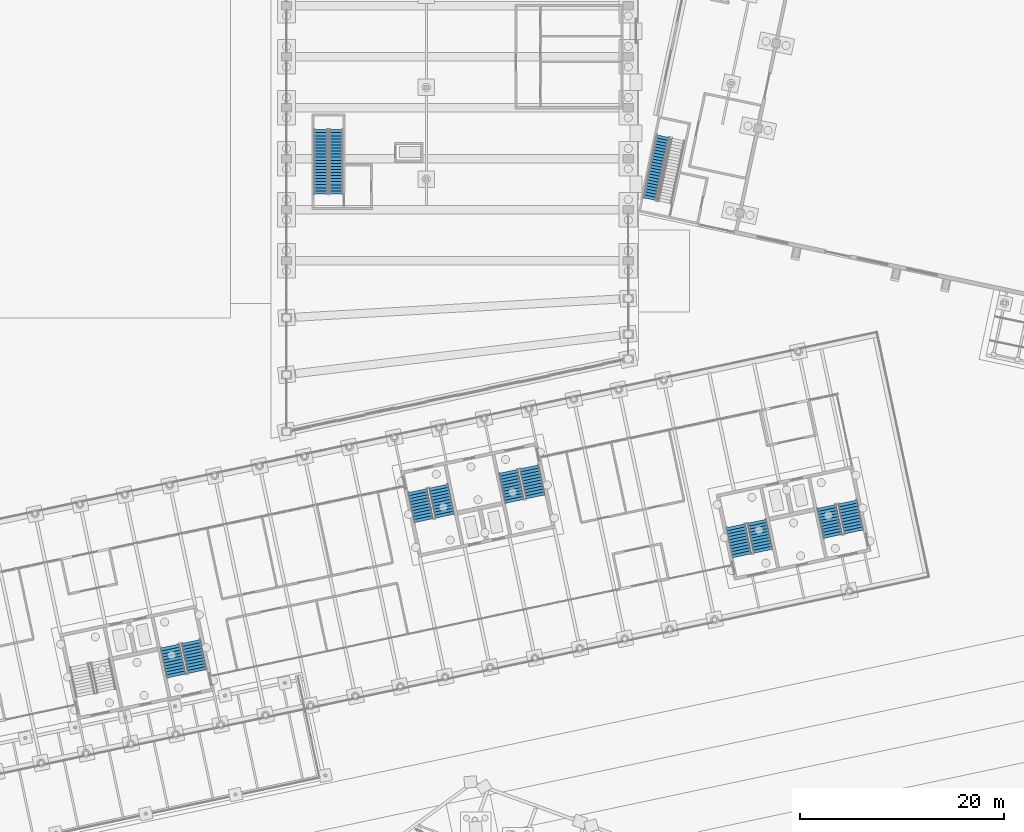
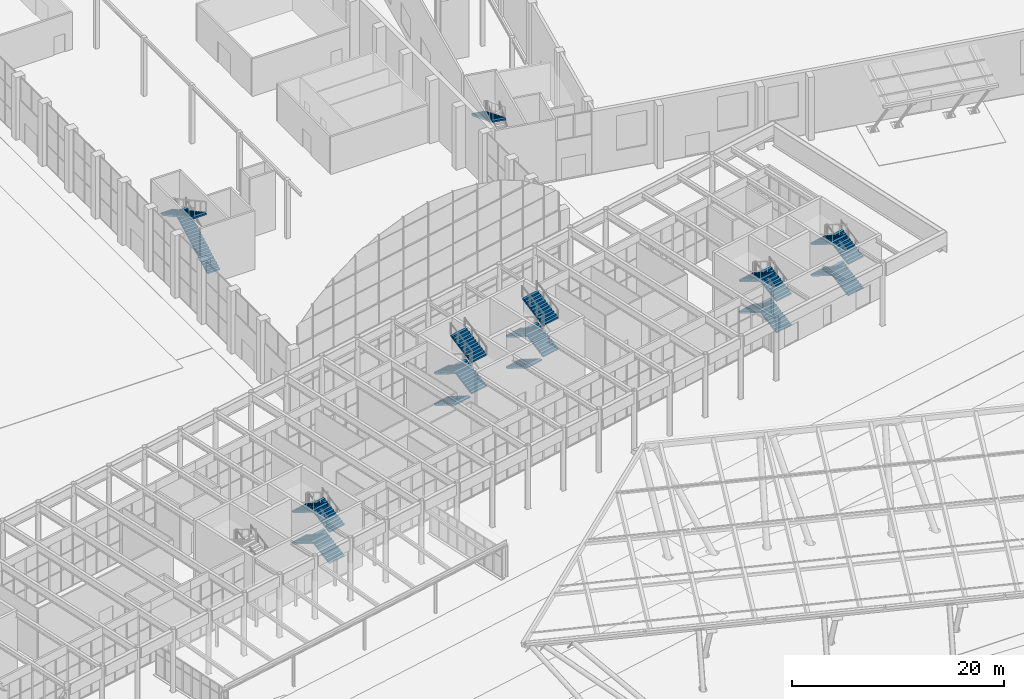
# One storey, part 192 of 239: 23 stair flights, 7 elements without a shape of their own.
"""IFC4 building model written with IfcOpenShell, lengths in metres."""

from ifc_helpers import new_model, si_unit, direction, frame, origin, place, context, subcontext, project, spatial, polyline, outline, extrude, material, type_object, element, aggregate, save


model = new_model("IFC4")

# Units and contexts
model_context = context("Model", 3, precision=1e-05, world=origin(), true_north=direction((0.0, 1.0)))
body_context = subcontext(model_context, "Body", "Model", "MODEL_VIEW")
ifc_project = project(units=[si_unit("LENGTHUNIT", "METRE"), si_unit("AREAUNIT", "SQUARE_METRE"), si_unit("VOLUMEUNIT", "CUBIC_METRE"), si_unit("PLANEANGLEUNIT", "RADIAN"), si_unit("MASSUNIT", "GRAM", prefix="KILO")], contexts=[model_context])

# Site, building, storey
site_placement = place(None, origin())
site = spatial("IfcSite", under=ifc_project, at=site_placement, CompositionType="ELEMENT")
building_placement = place(site_placement, origin())
building = spatial("IfcBuilding", under=site, at=building_placement, Name="Okhra Congress Centre", CompositionType="ELEMENT")
storey_placement = place(building_placement, origin())
storey = spatial("IfcBuildingStorey", under=building, at=storey_placement, Name="L00", CompositionType="ELEMENT", Elevation=0.0)

# Stair, stair flights
ifc_material = material(Name="Concrete C30/37", Category="concrete")
stair_type_1 = type_object("IfcStairType", Name="Escape stair 1350 wide, 44 risers of 163.6", PredefinedType="HALF_TURN_STAIR", material=ifc_material)
stair_1_placement = place(storey_placement, origin())
stair_1 = element("IfcStair", 1, at=stair_1_placement, inside=storey, type_object=stair_type_1, Name="L00 Gallery Stair", PredefinedType="HALF_TURN_STAIR")
stair_flight_type_1 = type_object("IfcStairFlightType", Name="Stair flight 1350 wide", PredefinedType="STRAIGHT", material=ifc_material)
stair_flight_1_placement = place(storey_placement, frame((160.375, 97.550048828125, 0.0), z_axis=(0.0, 0.0, 1.0), x_axis=(0.0, 1.0, 0.0)))
stair_flight_1 = element("IfcStairFlight", 2, at=stair_flight_1_placement, type_object=stair_flight_type_1, Name="WG1 flight 1", NumberOfRisers=22, NumberOfTreads=21, PredefinedType="STRAIGHT", RiserHeight=0.163636364, TreadLength=0.3, context=body_context, shape_type="SweptSolid", body=[
    extrude(outline(polyline([(0.0, 0.0), (0.0, 0.16357421875), (0.300048828125, 0.16357421875), (0.300048828125, 0.327392578125), (0.60009765625, 0.327392578125), (0.60009765625, 0.490966796875), (0.89990234375, 0.490966796875), (0.89990234375, 0.654541015625), (1.199951171875, 0.654541015625), (1.199951171875, 0.818115234375), (1.5, 0.818115234375), (1.5, 0.98193359375), (1.800048828125, 0.98193359375), (1.800048828125, 1.1455078125), (2.10009765625, 1.1455078125), (2.10009765625, 1.30908203125), (2.39990234375, 1.30908203125), (2.39990234375, 1.47265625), (2.699951171875, 1.47265625), (2.699951171875, 1.636474609375), (3.0, 1.636474609375), (3.0, 1.800048828125), (3.300048828125, 1.800048828125), (3.300048828125, 1.963623046875), (3.60009765625, 1.963623046875), (3.60009765625, 2.127197265625), (3.89990234375, 2.127197265625), (3.89990234375, 2.291015625), (4.199951171875, 2.291015625), (4.199951171875, 2.45458984375), (4.5, 2.45458984375), (4.5, 2.6181640625), (4.800048828125, 2.6181640625), (4.800048828125, 2.78173828125), (5.10009765625, 2.78173828125), (5.10009765625, 2.945556640625), (5.39990234375, 2.945556640625), (5.39990234375, 3.109130859375), (5.699951171875, 3.109130859375), (5.699951171875, 3.272705078125), (6.0, 3.272705078125), (6.0, 3.436279296875), (6.300048828125, 3.436279296875), (6.300048828125, 3.60009765625), (6.300048828125, 3.265625), (0.31298828125, 0.0), (0.0, 0.0)])), frame((0.0, 0.675048828125, 0.0), z_axis=(0.0, -1.0, 0.0), x_axis=(1.0, 0.0, 0.0)), (0.0, 0.0, 1.0), 1.35009765625),
])
stair_flight_2_placement = place(storey_placement, frame((158.875, 103.85009765625, 3.60009765625), z_axis=(0.0, 0.0, 1.0), x_axis=(0.0, -1.0, 0.0)))
stair_flight_2 = element("IfcStairFlight", 3, at=stair_flight_2_placement, type_object=stair_flight_type_1, Name="WG1 flight 2", NumberOfRisers=22, NumberOfTreads=21, PredefinedType="STRAIGHT", RiserHeight=0.163636364, TreadLength=0.3, context=body_context, shape_type="SweptSolid", body=[
    extrude(outline(polyline([(0.0, 0.0), (0.0, 0.16357421875), (0.300048828125, 0.16357421875), (0.300048828125, 0.327392578125), (0.60009765625, 0.327392578125), (0.60009765625, 0.490966796875), (0.89990234375, 0.490966796875), (0.89990234375, 0.654541015625), (1.199951171875, 0.654541015625), (1.199951171875, 0.818115234375), (1.5, 0.818115234375), (1.5, 0.98193359375), (1.800048828125, 0.98193359375), (1.800048828125, 1.1455078125), (2.10009765625, 1.1455078125), (2.10009765625, 1.30908203125), (2.39990234375, 1.30908203125), (2.39990234375, 1.47265625), (2.699951171875, 1.47265625), (2.699951171875, 1.636474609375), (3.0, 1.636474609375), (3.0, 1.800048828125), (3.300048828125, 1.800048828125), (3.300048828125, 1.963623046875), (3.60009765625, 1.963623046875), (3.60009765625, 2.127197265625), (3.89990234375, 2.127197265625), (3.89990234375, 2.291015625), (4.199951171875, 2.291015625), (4.199951171875, 2.45458984375), (4.5, 2.45458984375), (4.5, 2.6181640625), (4.800048828125, 2.6181640625), (4.800048828125, 2.78173828125), (5.10009765625, 2.78173828125), (5.10009765625, 2.945556640625), (5.39990234375, 2.945556640625), (5.39990234375, 3.109130859375), (5.699951171875, 3.109130859375), (5.699951171875, 3.272705078125), (6.0, 3.272705078125), (6.0, 3.436279296875), (6.300048828125, 3.436279296875), (6.300048828125, 3.60009765625), (6.300048828125, 3.265625), (0.31298828125, 0.0), (0.0, 0.0)])), frame((0.0, 0.675048828125, 0.0), z_axis=(0.0, -1.0, 0.0), x_axis=(1.0, 0.0, 0.0)), (0.0, 0.0, 1.0), 1.35009765625),
])
aggregate(stair_1, [stair_flight_1, stair_flight_2])

# Stair, stair flight
stair_2_placement = place(storey_placement, origin())
stair_2 = element("IfcStair", 4, at=stair_2_placement, inside=storey, type_object=stair_type_1, Name="L00 Gallery Stair", PredefinedType="HALF_TURN_STAIR")
stair_flight_3_placement = place(storey_placement, frame((192.42578125, 103.2041015625, 3.60009765625), z_axis=(0.0, 0.0, 1.0), x_axis=(-0.207911690818, -0.978147600734, 0.0)))
stair_flight_3 = element("IfcStairFlight", 5, at=stair_flight_3_placement, type_object=stair_flight_type_1, Name="BG1 flight 2", NumberOfRisers=22, NumberOfTreads=21, PredefinedType="STRAIGHT", RiserHeight=0.163636364, TreadLength=0.3001, context=body_context, shape_type="SweptSolid", body=[
    extrude(outline(polyline([(0.0, 0.0), (0.0, 0.16357421875), (0.300048828125, 0.16357421875), (0.300048828125, 0.327392578125), (0.60009765625, 0.327392578125), (0.60009765625, 0.490966796875), (0.900390625, 0.490966796875), (0.900390625, 0.654541015625), (1.200439453125, 0.654541015625), (1.200439453125, 0.818115234375), (1.50048828125, 0.818115234375), (1.50048828125, 0.98193359375), (1.800537109375, 0.98193359375), (1.800537109375, 1.1455078125), (2.1005859375, 1.1455078125), (2.1005859375, 1.30908203125), (2.40087890625, 1.30908203125), (2.40087890625, 1.47265625), (2.700927734375, 1.47265625), (2.700927734375, 1.636474609375), (3.0009765625, 1.636474609375), (3.0009765625, 1.800048828125), (3.301025390625, 1.800048828125), (3.301025390625, 1.963623046875), (3.601318359375, 1.963623046875), (3.601318359375, 2.127197265625), (3.9013671875, 2.127197265625), (3.9013671875, 2.291015625), (4.201416015625, 2.291015625), (4.201416015625, 2.45458984375), (4.50146484375, 2.45458984375), (4.50146484375, 2.6181640625), (4.801513671875, 2.6181640625), (4.801513671875, 2.78173828125), (5.101806640625, 2.78173828125), (5.101806640625, 2.945556640625), (5.40185546875, 2.945556640625), (5.40185546875, 3.109130859375), (5.701904296875, 3.109130859375), (5.701904296875, 3.272705078125), (6.001953125, 3.272705078125), (6.001953125, 3.436279296875), (6.302001953125, 3.436279296875), (6.302001953125, 3.60009765625), (6.302001953125, 3.265625), (0.313232421875, 0.0), (0.0, 0.0)])), frame((0.0, 0.675048828125, 0.0), z_axis=(0.0, -1.0, 0.0), x_axis=(1.0, 0.0, 0.0)), (0.0, 0.0, 1.0), 1.35009765625),
])
aggregate(stair_2, [stair_flight_3])

# Stair, stair flights
stair_type_2 = type_object("IfcStairType", Name="Escape stair 1900 wide, 44 risers of 163.6", PredefinedType="HALF_TURN_STAIR", material=ifc_material)
stair_3_placement = place(storey_placement, origin())
stair_3 = element("IfcStair", 6, at=stair_3_placement, inside=storey, type_object=stair_type_2, Name="L00 Escape stair 3B", PredefinedType="HALF_TURN_STAIR")
stair_flight_type_2 = type_object("IfcStairFlightType", Name="Stair flight 1900 wide", PredefinedType="STRAIGHT", material=ifc_material)
stair_flight_4_placement = place(storey_placement, frame((146.76025390625, 50.7353515625, 0.0), z_axis=(0.0, 0.0, 1.0), x_axis=(-0.207911690818, 0.978147600734, 0.0)))
stair_flight_4 = element("IfcStairFlight", 7, at=stair_flight_4_placement, type_object=stair_flight_type_2, Name="BS3B flight 1", NumberOfRisers=11, NumberOfTreads=10, PredefinedType="STRAIGHT", RiserHeight=0.163636364, TreadLength=0.3, context=body_context, shape_type="SweptSolid", body=[
    extrude(outline(polyline([(0.0, 0.0), (0.0, 0.16357421875), (0.300048828125, 0.16357421875), (0.300048828125, 0.327392578125), (0.60009765625, 0.327392578125), (0.60009765625, 0.490966796875), (0.89990234375, 0.490966796875), (0.89990234375, 0.654541015625), (1.199951171875, 0.654541015625), (1.199951171875, 0.818115234375), (1.5, 0.818115234375), (1.5, 0.98193359375), (1.800048828125, 0.98193359375), (1.800048828125, 1.1455078125), (2.10009765625, 1.1455078125), (2.10009765625, 1.30908203125), (2.39990234375, 1.30908203125), (2.39990234375, 1.47265625), (2.699951171875, 1.47265625), (2.699951171875, 1.636474609375), (3.0, 1.636474609375), (3.0, 1.800048828125), (3.0, 1.49951171875), (0.250732421875, 0.0), (0.0, 0.0)])), frame((0.0, 0.949951171875, 0.0), z_axis=(0.0, -1.0, 0.0), x_axis=(1.0, 0.0, 0.0)), (0.0, 0.0, 1.0), 1.89990234375),
])
stair_flight_5_placement = place(storey_placement, frame((144.08251953125, 53.233154296875, 1.800048828125), z_axis=(0.0, 0.0, 1.0), x_axis=(0.207911690818, -0.978147600734, 0.0)))
stair_flight_5 = element("IfcStairFlight", 8, at=stair_flight_5_placement, type_object=stair_flight_type_2, Name="BS3B flight 2", NumberOfRisers=11, NumberOfTreads=10, PredefinedType="STRAIGHT", RiserHeight=0.163636364, TreadLength=0.3, context=body_context, shape_type="SweptSolid", body=[
    extrude(outline(polyline([(0.0, 0.0), (0.0, 0.16357421875), (0.300048828125, 0.16357421875), (0.300048828125, 0.327392578125), (0.60009765625, 0.327392578125), (0.60009765625, 0.490966796875), (0.89990234375, 0.490966796875), (0.89990234375, 0.654541015625), (1.199951171875, 0.654541015625), (1.199951171875, 0.818115234375), (1.5, 0.818115234375), (1.5, 0.98193359375), (1.800048828125, 0.98193359375), (1.800048828125, 1.1455078125), (2.10009765625, 1.1455078125), (2.10009765625, 1.30908203125), (2.39990234375, 1.30908203125), (2.39990234375, 1.47265625), (2.699951171875, 1.47265625), (2.699951171875, 1.636474609375), (3.0, 1.636474609375), (3.0, 1.800048828125), (3.0, 1.49951171875), (0.250732421875, 0.0), (0.0, 0.0)])), frame((0.0, 0.949951171875, 0.0), z_axis=(0.0, -1.0, 0.0), x_axis=(1.0, 0.0, 0.0)), (0.0, 0.0, 1.0), 1.89990234375),
])
stair_flight_6_placement = place(storey_placement, frame((146.76025390625, 50.7353515625, 3.60009765625), z_axis=(0.0, 0.0, 1.0), x_axis=(-0.207911690818, 0.978147600734, 0.0)))
stair_flight_6 = element("IfcStairFlight", 9, at=stair_flight_6_placement, type_object=stair_flight_type_2, Name="BS3B flight 3", NumberOfRisers=11, NumberOfTreads=10, PredefinedType="STRAIGHT", RiserHeight=0.163636364, TreadLength=0.3, context=body_context, shape_type="SweptSolid", body=[
    extrude(outline(polyline([(0.0, 0.0), (0.0, 0.16357421875), (0.300048828125, 0.16357421875), (0.300048828125, 0.327392578125), (0.60009765625, 0.327392578125), (0.60009765625, 0.490966796875), (0.89990234375, 0.490966796875), (0.89990234375, 0.654541015625), (1.199951171875, 0.654541015625), (1.199951171875, 0.818115234375), (1.5, 0.818115234375), (1.5, 0.98193359375), (1.800048828125, 0.98193359375), (1.800048828125, 1.1455078125), (2.10009765625, 1.1455078125), (2.10009765625, 1.30908203125), (2.39990234375, 1.30908203125), (2.39990234375, 1.47265625), (2.699951171875, 1.47265625), (2.699951171875, 1.636474609375), (3.0, 1.636474609375), (3.0, 1.800048828125), (3.0, 1.49951171875), (0.250732421875, 0.0), (0.0, 0.0)])), frame((0.0, 0.949951171875, 0.0), z_axis=(0.0, -1.0, 0.0), x_axis=(1.0, 0.0, 0.0)), (0.0, 0.0, 1.0), 1.89990234375),
])
stair_flight_7_placement = place(storey_placement, frame((144.08251953125, 53.233154296875, 5.39990234375), z_axis=(0.0, 0.0, 1.0), x_axis=(0.207911690818, -0.978147600734, 0.0)))
stair_flight_7 = element("IfcStairFlight", 10, at=stair_flight_7_placement, type_object=stair_flight_type_2, Name="BS3B flight 4", NumberOfRisers=11, NumberOfTreads=10, PredefinedType="STRAIGHT", RiserHeight=0.163636364, TreadLength=0.3, context=body_context, shape_type="SweptSolid", body=[
    extrude(outline(polyline([(0.0, 0.0), (0.0, 0.16357421875), (0.300048828125, 0.16357421875), (0.300048828125, 0.327392578125), (0.60009765625, 0.327392578125), (0.60009765625, 0.490966796875), (0.89990234375, 0.490966796875), (0.89990234375, 0.654541015625), (1.199951171875, 0.654541015625), (1.199951171875, 0.818115234375), (1.5, 0.818115234375), (1.5, 0.98193359375), (1.800048828125, 0.98193359375), (1.800048828125, 1.1455078125), (2.10009765625, 1.1455078125), (2.10009765625, 1.30908203125), (2.39990234375, 1.30908203125), (2.39990234375, 1.47265625), (2.699951171875, 1.47265625), (2.699951171875, 1.636474609375), (3.0, 1.636474609375), (3.0, 1.800048828125), (3.0, 1.49951171875), (0.250732421875, 0.0), (0.0, 0.0)])), frame((0.0, 0.949951171875, 0.0), z_axis=(0.0, -1.0, 0.0), x_axis=(1.0, 0.0, 0.0)), (0.0, 0.0, 1.0), 1.89990234375),
])
aggregate(stair_3, [stair_flight_4, stair_flight_5, stair_flight_6, stair_flight_7])

stair_4_placement = place(storey_placement, origin())
stair_4 = element("IfcStair", 11, at=stair_4_placement, inside=storey, type_object=stair_type_2, Name="L00 Escape stair 4A", PredefinedType="HALF_TURN_STAIR")
stair_flight_8_placement = place(storey_placement, frame((168.3466796875, 68.460693359375, 0.0), z_axis=(0.0, 0.0, 1.0), x_axis=(0.207911690818, -0.978147600734, 0.0)))
stair_flight_8 = element("IfcStairFlight", 12, at=stair_flight_8_placement, type_object=stair_flight_type_2, Name="BS4A flight 1", NumberOfRisers=11, NumberOfTreads=10, PredefinedType="STRAIGHT", RiserHeight=0.163636364, TreadLength=0.3, context=body_context, shape_type="SweptSolid", body=[
    extrude(outline(polyline([(0.0, 0.0), (0.0, 0.16357421875), (0.300048828125, 0.16357421875), (0.300048828125, 0.327392578125), (0.60009765625, 0.327392578125), (0.60009765625, 0.490966796875), (0.89990234375, 0.490966796875), (0.89990234375, 0.654541015625), (1.199951171875, 0.654541015625), (1.199951171875, 0.818115234375), (1.5, 0.818115234375), (1.5, 0.98193359375), (1.800048828125, 0.98193359375), (1.800048828125, 1.1455078125), (2.10009765625, 1.1455078125), (2.10009765625, 1.30908203125), (2.39990234375, 1.30908203125), (2.39990234375, 1.47265625), (2.699951171875, 1.47265625), (2.699951171875, 1.636474609375), (3.0, 1.636474609375), (3.0, 1.800048828125), (3.0, 1.49951171875), (0.250732421875, 0.0), (0.0, 0.0)])), frame((0.0, 0.949951171875, 0.0), z_axis=(0.0, -1.0, 0.0), x_axis=(1.0, 0.0, 0.0)), (0.0, 0.0, 1.0), 1.89990234375),
])
stair_flight_9_placement = place(storey_placement, frame((171.024658203125, 65.962890625, 1.800048828125), z_axis=(0.0, 0.0, 1.0), x_axis=(-0.207911690818, 0.978147600734, 0.0)))
stair_flight_9 = element("IfcStairFlight", 13, at=stair_flight_9_placement, type_object=stair_flight_type_2, Name="BS4A flight 2", NumberOfRisers=11, NumberOfTreads=10, PredefinedType="STRAIGHT", RiserHeight=0.163636364, TreadLength=0.3, context=body_context, shape_type="SweptSolid", body=[
    extrude(outline(polyline([(0.0, 0.0), (0.0, 0.16357421875), (0.300048828125, 0.16357421875), (0.300048828125, 0.327392578125), (0.60009765625, 0.327392578125), (0.60009765625, 0.490966796875), (0.89990234375, 0.490966796875), (0.89990234375, 0.654541015625), (1.199951171875, 0.654541015625), (1.199951171875, 0.818115234375), (1.5, 0.818115234375), (1.5, 0.98193359375), (1.800048828125, 0.98193359375), (1.800048828125, 1.1455078125), (2.10009765625, 1.1455078125), (2.10009765625, 1.30908203125), (2.39990234375, 1.30908203125), (2.39990234375, 1.47265625), (2.699951171875, 1.47265625), (2.699951171875, 1.636474609375), (3.0, 1.636474609375), (3.0, 1.800048828125), (3.0, 1.49951171875), (0.250732421875, 0.0), (0.0, 0.0)])), frame((0.0, 0.949951171875, 0.0), z_axis=(0.0, -1.0, 0.0), x_axis=(1.0, 0.0, 0.0)), (0.0, 0.0, 1.0), 1.89990234375),
])
stair_flight_10_placement = place(storey_placement, frame((168.3466796875, 68.460693359375, 3.60009765625), z_axis=(0.0, 0.0, 1.0), x_axis=(0.207911690818, -0.978147600734, 0.0)))
stair_flight_10 = element("IfcStairFlight", 14, at=stair_flight_10_placement, type_object=stair_flight_type_2, Name="BS4A flight 3", NumberOfRisers=11, NumberOfTreads=10, PredefinedType="STRAIGHT", RiserHeight=0.163636364, TreadLength=0.3, context=body_context, shape_type="SweptSolid", body=[
    extrude(outline(polyline([(0.0, 0.0), (0.0, 0.16357421875), (0.300048828125, 0.16357421875), (0.300048828125, 0.327392578125), (0.60009765625, 0.327392578125), (0.60009765625, 0.490966796875), (0.89990234375, 0.490966796875), (0.89990234375, 0.654541015625), (1.199951171875, 0.654541015625), (1.199951171875, 0.818115234375), (1.5, 0.818115234375), (1.5, 0.98193359375), (1.800048828125, 0.98193359375), (1.800048828125, 1.1455078125), (2.10009765625, 1.1455078125), (2.10009765625, 1.30908203125), (2.39990234375, 1.30908203125), (2.39990234375, 1.47265625), (2.699951171875, 1.47265625), (2.699951171875, 1.636474609375), (3.0, 1.636474609375), (3.0, 1.800048828125), (3.0, 1.49951171875), (0.250732421875, 0.0), (0.0, 0.0)])), frame((0.0, 0.949951171875, 0.0), z_axis=(0.0, -1.0, 0.0), x_axis=(1.0, 0.0, 0.0)), (0.0, 0.0, 1.0), 1.89990234375),
])
stair_flight_11_placement = place(storey_placement, frame((171.024658203125, 65.962890625, 5.39990234375), z_axis=(0.0, 0.0, 1.0), x_axis=(-0.207911690818, 0.978147600734, 0.0)))
stair_flight_11 = element("IfcStairFlight", 15, at=stair_flight_11_placement, type_object=stair_flight_type_2, Name="BS4A flight 4", NumberOfRisers=11, NumberOfTreads=10, PredefinedType="STRAIGHT", RiserHeight=0.163636364, TreadLength=0.3, context=body_context, shape_type="SweptSolid", body=[
    extrude(outline(polyline([(0.0, 0.0), (0.0, 0.16357421875), (0.300048828125, 0.16357421875), (0.300048828125, 0.327392578125), (0.60009765625, 0.327392578125), (0.60009765625, 0.490966796875), (0.89990234375, 0.490966796875), (0.89990234375, 0.654541015625), (1.199951171875, 0.654541015625), (1.199951171875, 0.818115234375), (1.5, 0.818115234375), (1.5, 0.98193359375), (1.800048828125, 0.98193359375), (1.800048828125, 1.1455078125), (2.10009765625, 1.1455078125), (2.10009765625, 1.30908203125), (2.39990234375, 1.30908203125), (2.39990234375, 1.47265625), (2.699951171875, 1.47265625), (2.699951171875, 1.636474609375), (3.0, 1.636474609375), (3.0, 1.800048828125), (3.0, 1.49951171875), (0.250732421875, 0.0), (0.0, 0.0)])), frame((0.0, 0.949951171875, 0.0), z_axis=(0.0, -1.0, 0.0), x_axis=(1.0, 0.0, 0.0)), (0.0, 0.0, 1.0), 1.89990234375),
])
aggregate(stair_4, [stair_flight_8, stair_flight_9, stair_flight_10, stair_flight_11])

stair_5_placement = place(storey_placement, origin())
stair_5 = element("IfcStair", 16, at=stair_5_placement, inside=storey, type_object=stair_type_2, Name="L00 Escape stair 4B", PredefinedType="HALF_TURN_STAIR")
stair_flight_12_placement = place(storey_placement, frame((177.247802734375, 70.352783203125, 0.0), z_axis=(0.0, 0.0, 1.0), x_axis=(0.207911690818, -0.978147600734, 0.0)))
stair_flight_12 = element("IfcStairFlight", 17, at=stair_flight_12_placement, type_object=stair_flight_type_2, Name="BS4B flight 1", NumberOfRisers=11, NumberOfTreads=10, PredefinedType="STRAIGHT", RiserHeight=0.163636364, TreadLength=0.3, context=body_context, shape_type="SweptSolid", body=[
    extrude(outline(polyline([(0.0, 0.0), (0.0, 0.16357421875), (0.300048828125, 0.16357421875), (0.300048828125, 0.327392578125), (0.60009765625, 0.327392578125), (0.60009765625, 0.490966796875), (0.89990234375, 0.490966796875), (0.89990234375, 0.654541015625), (1.199951171875, 0.654541015625), (1.199951171875, 0.818115234375), (1.5, 0.818115234375), (1.5, 0.98193359375), (1.800048828125, 0.98193359375), (1.800048828125, 1.1455078125), (2.10009765625, 1.1455078125), (2.10009765625, 1.30908203125), (2.39990234375, 1.30908203125), (2.39990234375, 1.47265625), (2.699951171875, 1.47265625), (2.699951171875, 1.636474609375), (3.0, 1.636474609375), (3.0, 1.800048828125), (3.0, 1.49951171875), (0.250732421875, 0.0), (0.0, 0.0)])), frame((0.0, 0.949951171875, 0.0), z_axis=(0.0, -1.0, 0.0), x_axis=(1.0, 0.0, 0.0)), (0.0, 0.0, 1.0), 1.89990234375),
])
stair_flight_13_placement = place(storey_placement, frame((179.92578125, 67.85498046875, 1.800048828125), z_axis=(0.0, 0.0, 1.0), x_axis=(-0.207911690818, 0.978147600734, 0.0)))
stair_flight_13 = element("IfcStairFlight", 18, at=stair_flight_13_placement, type_object=stair_flight_type_2, Name="BS4B flight 2", NumberOfRisers=11, NumberOfTreads=10, PredefinedType="STRAIGHT", RiserHeight=0.163636364, TreadLength=0.3, context=body_context, shape_type="SweptSolid", body=[
    extrude(outline(polyline([(0.0, 0.0), (0.0, 0.16357421875), (0.300048828125, 0.16357421875), (0.300048828125, 0.327392578125), (0.60009765625, 0.327392578125), (0.60009765625, 0.490966796875), (0.89990234375, 0.490966796875), (0.89990234375, 0.654541015625), (1.199951171875, 0.654541015625), (1.199951171875, 0.818115234375), (1.5, 0.818115234375), (1.5, 0.98193359375), (1.800048828125, 0.98193359375), (1.800048828125, 1.1455078125), (2.10009765625, 1.1455078125), (2.10009765625, 1.30908203125), (2.39990234375, 1.30908203125), (2.39990234375, 1.47265625), (2.699951171875, 1.47265625), (2.699951171875, 1.636474609375), (3.0, 1.636474609375), (3.0, 1.800048828125), (3.0, 1.49951171875), (0.250732421875, 0.0), (0.0, 0.0)])), frame((0.0, 0.949951171875, 0.0), z_axis=(0.0, -1.0, 0.0), x_axis=(1.0, 0.0, 0.0)), (0.0, 0.0, 1.0), 1.89990234375),
])
stair_flight_14_placement = place(storey_placement, frame((177.247802734375, 70.352783203125, 3.60009765625), z_axis=(0.0, 0.0, 1.0), x_axis=(0.207911690818, -0.978147600734, 0.0)))
stair_flight_14 = element("IfcStairFlight", 19, at=stair_flight_14_placement, type_object=stair_flight_type_2, Name="BS4B flight 3", NumberOfRisers=11, NumberOfTreads=10, PredefinedType="STRAIGHT", RiserHeight=0.163636364, TreadLength=0.3, context=body_context, shape_type="SweptSolid", body=[
    extrude(outline(polyline([(0.0, 0.0), (0.0, 0.16357421875), (0.300048828125, 0.16357421875), (0.300048828125, 0.327392578125), (0.60009765625, 0.327392578125), (0.60009765625, 0.490966796875), (0.89990234375, 0.490966796875), (0.89990234375, 0.654541015625), (1.199951171875, 0.654541015625), (1.199951171875, 0.818115234375), (1.5, 0.818115234375), (1.5, 0.98193359375), (1.800048828125, 0.98193359375), (1.800048828125, 1.1455078125), (2.10009765625, 1.1455078125), (2.10009765625, 1.30908203125), (2.39990234375, 1.30908203125), (2.39990234375, 1.47265625), (2.699951171875, 1.47265625), (2.699951171875, 1.636474609375), (3.0, 1.636474609375), (3.0, 1.800048828125), (3.0, 1.49951171875), (0.250732421875, 0.0), (0.0, 0.0)])), frame((0.0, 0.949951171875, 0.0), z_axis=(0.0, -1.0, 0.0), x_axis=(1.0, 0.0, 0.0)), (0.0, 0.0, 1.0), 1.89990234375),
])
stair_flight_15_placement = place(storey_placement, frame((179.92578125, 67.85498046875, 5.39990234375), z_axis=(0.0, 0.0, 1.0), x_axis=(-0.207911690818, 0.978147600734, 0.0)))
stair_flight_15 = element("IfcStairFlight", 20, at=stair_flight_15_placement, type_object=stair_flight_type_2, Name="BS4B flight 4", NumberOfRisers=11, NumberOfTreads=10, PredefinedType="STRAIGHT", RiserHeight=0.163636364, TreadLength=0.3, context=body_context, shape_type="SweptSolid", body=[
    extrude(outline(polyline([(0.0, 0.0), (0.0, 0.16357421875), (0.300048828125, 0.16357421875), (0.300048828125, 0.327392578125), (0.60009765625, 0.327392578125), (0.60009765625, 0.490966796875), (0.89990234375, 0.490966796875), (0.89990234375, 0.654541015625), (1.199951171875, 0.654541015625), (1.199951171875, 0.818115234375), (1.5, 0.818115234375), (1.5, 0.98193359375), (1.800048828125, 0.98193359375), (1.800048828125, 1.1455078125), (2.10009765625, 1.1455078125), (2.10009765625, 1.30908203125), (2.39990234375, 1.30908203125), (2.39990234375, 1.47265625), (2.699951171875, 1.47265625), (2.699951171875, 1.636474609375), (3.0, 1.636474609375), (3.0, 1.800048828125), (3.0, 1.49951171875), (0.250732421875, 0.0), (0.0, 0.0)])), frame((0.0, 0.949951171875, 0.0), z_axis=(0.0, -1.0, 0.0), x_axis=(1.0, 0.0, 0.0)), (0.0, 0.0, 1.0), 1.89990234375),
])
aggregate(stair_5, [stair_flight_12, stair_flight_13, stair_flight_14, stair_flight_15])

stair_6_placement = place(storey_placement, origin())
stair_6 = element("IfcStair", 21, at=stair_6_placement, inside=storey, type_object=stair_type_2, Name="L00 Escape stair 5A", PredefinedType="HALF_TURN_STAIR")
stair_flight_16_placement = place(storey_placement, frame((202.22119140625, 62.52392578125, 0.0), z_axis=(0.0, 0.0, 1.0), x_axis=(-0.207911690818, 0.978147600734, 0.0)))
stair_flight_16 = element("IfcStairFlight", 22, at=stair_flight_16_placement, type_object=stair_flight_type_2, Name="BS5A flight 1", NumberOfRisers=11, NumberOfTreads=10, PredefinedType="STRAIGHT", RiserHeight=0.163636364, TreadLength=0.3, context=body_context, shape_type="SweptSolid", body=[
    extrude(outline(polyline([(0.0, 0.0), (0.0, 0.16357421875), (0.300048828125, 0.16357421875), (0.300048828125, 0.327392578125), (0.60009765625, 0.327392578125), (0.60009765625, 0.490966796875), (0.89990234375, 0.490966796875), (0.89990234375, 0.654541015625), (1.199951171875, 0.654541015625), (1.199951171875, 0.818115234375), (1.5, 0.818115234375), (1.5, 0.98193359375), (1.800048828125, 0.98193359375), (1.800048828125, 1.1455078125), (2.10009765625, 1.1455078125), (2.10009765625, 1.30908203125), (2.39990234375, 1.30908203125), (2.39990234375, 1.47265625), (2.699951171875, 1.47265625), (2.699951171875, 1.636474609375), (3.0, 1.636474609375), (3.0, 1.800048828125), (3.0, 1.49951171875), (0.250732421875, 0.0), (0.0, 0.0)])), frame((0.0, 0.949951171875, 0.0), z_axis=(0.0, -1.0, 0.0), x_axis=(1.0, 0.0, 0.0)), (0.0, 0.0, 1.0), 1.89990234375),
])
stair_flight_17_placement = place(storey_placement, frame((199.54345703125, 65.021728515625, 1.800048828125), z_axis=(0.0, 0.0, 1.0), x_axis=(0.207911690818, -0.978147600734, 0.0)))
stair_flight_17 = element("IfcStairFlight", 23, at=stair_flight_17_placement, type_object=stair_flight_type_2, Name="BS5A flight 2", NumberOfRisers=11, NumberOfTreads=10, PredefinedType="STRAIGHT", RiserHeight=0.163636364, TreadLength=0.3, context=body_context, shape_type="SweptSolid", body=[
    extrude(outline(polyline([(0.0, 0.0), (0.0, 0.16357421875), (0.300048828125, 0.16357421875), (0.300048828125, 0.327392578125), (0.60009765625, 0.327392578125), (0.60009765625, 0.490966796875), (0.89990234375, 0.490966796875), (0.89990234375, 0.654541015625), (1.199951171875, 0.654541015625), (1.199951171875, 0.818115234375), (1.5, 0.818115234375), (1.5, 0.98193359375), (1.800048828125, 0.98193359375), (1.800048828125, 1.1455078125), (2.10009765625, 1.1455078125), (2.10009765625, 1.30908203125), (2.39990234375, 1.30908203125), (2.39990234375, 1.47265625), (2.699951171875, 1.47265625), (2.699951171875, 1.636474609375), (3.0, 1.636474609375), (3.0, 1.800048828125), (3.0, 1.49951171875), (0.250732421875, 0.0), (0.0, 0.0)])), frame((0.0, 0.949951171875, 0.0), z_axis=(0.0, -1.0, 0.0), x_axis=(1.0, 0.0, 0.0)), (0.0, 0.0, 1.0), 1.89990234375),
])
stair_flight_18_placement = place(storey_placement, frame((202.22119140625, 62.52392578125, 3.60009765625), z_axis=(0.0, 0.0, 1.0), x_axis=(-0.207911690818, 0.978147600734, 0.0)))
stair_flight_18 = element("IfcStairFlight", 24, at=stair_flight_18_placement, type_object=stair_flight_type_2, Name="BS5A flight 3", NumberOfRisers=11, NumberOfTreads=10, PredefinedType="STRAIGHT", RiserHeight=0.163636364, TreadLength=0.3, context=body_context, shape_type="SweptSolid", body=[
    extrude(outline(polyline([(0.0, 0.0), (0.0, 0.16357421875), (0.300048828125, 0.16357421875), (0.300048828125, 0.327392578125), (0.60009765625, 0.327392578125), (0.60009765625, 0.490966796875), (0.89990234375, 0.490966796875), (0.89990234375, 0.654541015625), (1.199951171875, 0.654541015625), (1.199951171875, 0.818115234375), (1.5, 0.818115234375), (1.5, 0.98193359375), (1.800048828125, 0.98193359375), (1.800048828125, 1.1455078125), (2.10009765625, 1.1455078125), (2.10009765625, 1.30908203125), (2.39990234375, 1.30908203125), (2.39990234375, 1.47265625), (2.699951171875, 1.47265625), (2.699951171875, 1.636474609375), (3.0, 1.636474609375), (3.0, 1.800048828125), (3.0, 1.49951171875), (0.250732421875, 0.0), (0.0, 0.0)])), frame((0.0, 0.949951171875, 0.0), z_axis=(0.0, -1.0, 0.0), x_axis=(1.0, 0.0, 0.0)), (0.0, 0.0, 1.0), 1.89990234375),
])
stair_flight_19_placement = place(storey_placement, frame((199.54345703125, 65.021728515625, 5.39990234375), z_axis=(0.0, 0.0, 1.0), x_axis=(0.207911690818, -0.978147600734, 0.0)))
stair_flight_19 = element("IfcStairFlight", 25, at=stair_flight_19_placement, type_object=stair_flight_type_2, Name="BS5A flight 4", NumberOfRisers=11, NumberOfTreads=10, PredefinedType="STRAIGHT", RiserHeight=0.163636364, TreadLength=0.3, context=body_context, shape_type="SweptSolid", body=[
    extrude(outline(polyline([(0.0, 0.0), (0.0, 0.16357421875), (0.300048828125, 0.16357421875), (0.300048828125, 0.327392578125), (0.60009765625, 0.327392578125), (0.60009765625, 0.490966796875), (0.89990234375, 0.490966796875), (0.89990234375, 0.654541015625), (1.199951171875, 0.654541015625), (1.199951171875, 0.818115234375), (1.5, 0.818115234375), (1.5, 0.98193359375), (1.800048828125, 0.98193359375), (1.800048828125, 1.1455078125), (2.10009765625, 1.1455078125), (2.10009765625, 1.30908203125), (2.39990234375, 1.30908203125), (2.39990234375, 1.47265625), (2.699951171875, 1.47265625), (2.699951171875, 1.636474609375), (3.0, 1.636474609375), (3.0, 1.800048828125), (3.0, 1.49951171875), (0.250732421875, 0.0), (0.0, 0.0)])), frame((0.0, 0.949951171875, 0.0), z_axis=(0.0, -1.0, 0.0), x_axis=(1.0, 0.0, 0.0)), (0.0, 0.0, 1.0), 1.89990234375),
])
aggregate(stair_6, [stair_flight_16, stair_flight_17, stair_flight_18, stair_flight_19])

stair_7_placement = place(storey_placement, origin())
stair_7 = element("IfcStair", 26, at=stair_7_placement, inside=storey, type_object=stair_type_2, Name="L00 Escape stair 5B", PredefinedType="HALF_TURN_STAIR")
stair_flight_20_placement = place(storey_placement, frame((211.122314453125, 64.416015625, 0.0), z_axis=(0.0, 0.0, 1.0), x_axis=(-0.207911690818, 0.978147600734, 0.0)))
stair_flight_20 = element("IfcStairFlight", 27, at=stair_flight_20_placement, type_object=stair_flight_type_2, Name="BS5B flight 1", NumberOfRisers=11, NumberOfTreads=10, PredefinedType="STRAIGHT", RiserHeight=0.163636364, TreadLength=0.3, context=body_context, shape_type="SweptSolid", body=[
    extrude(outline(polyline([(0.0, 0.0), (0.0, 0.16357421875), (0.300048828125, 0.16357421875), (0.300048828125, 0.327392578125), (0.60009765625, 0.327392578125), (0.60009765625, 0.490966796875), (0.89990234375, 0.490966796875), (0.89990234375, 0.654541015625), (1.199951171875, 0.654541015625), (1.199951171875, 0.818115234375), (1.5, 0.818115234375), (1.5, 0.98193359375), (1.800048828125, 0.98193359375), (1.800048828125, 1.1455078125), (2.10009765625, 1.1455078125), (2.10009765625, 1.30908203125), (2.39990234375, 1.30908203125), (2.39990234375, 1.47265625), (2.699951171875, 1.47265625), (2.699951171875, 1.636474609375), (3.0, 1.636474609375), (3.0, 1.800048828125), (3.0, 1.49951171875), (0.250732421875, 0.0), (0.0, 0.0)])), frame((0.0, 0.949951171875, 0.0), z_axis=(0.0, -1.0, 0.0), x_axis=(1.0, 0.0, 0.0)), (0.0, 0.0, 1.0), 1.89990234375),
])
stair_flight_21_placement = place(storey_placement, frame((208.444580078125, 66.913818359375, 1.800048828125), z_axis=(0.0, 0.0, 1.0), x_axis=(0.207911690818, -0.978147600734, 0.0)))
stair_flight_21 = element("IfcStairFlight", 28, at=stair_flight_21_placement, type_object=stair_flight_type_2, Name="BS5B flight 2", NumberOfRisers=11, NumberOfTreads=10, PredefinedType="STRAIGHT", RiserHeight=0.163636364, TreadLength=0.3, context=body_context, shape_type="SweptSolid", body=[
    extrude(outline(polyline([(0.0, 0.0), (0.0, 0.16357421875), (0.300048828125, 0.16357421875), (0.300048828125, 0.327392578125), (0.60009765625, 0.327392578125), (0.60009765625, 0.490966796875), (0.89990234375, 0.490966796875), (0.89990234375, 0.654541015625), (1.199951171875, 0.654541015625), (1.199951171875, 0.818115234375), (1.5, 0.818115234375), (1.5, 0.98193359375), (1.800048828125, 0.98193359375), (1.800048828125, 1.1455078125), (2.10009765625, 1.1455078125), (2.10009765625, 1.30908203125), (2.39990234375, 1.30908203125), (2.39990234375, 1.47265625), (2.699951171875, 1.47265625), (2.699951171875, 1.636474609375), (3.0, 1.636474609375), (3.0, 1.800048828125), (3.0, 1.49951171875), (0.250732421875, 0.0), (0.0, 0.0)])), frame((0.0, 0.949951171875, 0.0), z_axis=(0.0, -1.0, 0.0), x_axis=(1.0, 0.0, 0.0)), (0.0, 0.0, 1.0), 1.89990234375),
])
stair_flight_22_placement = place(storey_placement, frame((211.122314453125, 64.416015625, 3.60009765625), z_axis=(0.0, 0.0, 1.0), x_axis=(-0.207911690818, 0.978147600734, 0.0)))
stair_flight_22 = element("IfcStairFlight", 29, at=stair_flight_22_placement, type_object=stair_flight_type_2, Name="BS5B flight 3", NumberOfRisers=11, NumberOfTreads=10, PredefinedType="STRAIGHT", RiserHeight=0.163636364, TreadLength=0.3, context=body_context, shape_type="SweptSolid", body=[
    extrude(outline(polyline([(0.0, 0.0), (0.0, 0.16357421875), (0.300048828125, 0.16357421875), (0.300048828125, 0.327392578125), (0.60009765625, 0.327392578125), (0.60009765625, 0.490966796875), (0.89990234375, 0.490966796875), (0.89990234375, 0.654541015625), (1.199951171875, 0.654541015625), (1.199951171875, 0.818115234375), (1.5, 0.818115234375), (1.5, 0.98193359375), (1.800048828125, 0.98193359375), (1.800048828125, 1.1455078125), (2.10009765625, 1.1455078125), (2.10009765625, 1.30908203125), (2.39990234375, 1.30908203125), (2.39990234375, 1.47265625), (2.699951171875, 1.47265625), (2.699951171875, 1.636474609375), (3.0, 1.636474609375), (3.0, 1.800048828125), (3.0, 1.49951171875), (0.250732421875, 0.0), (0.0, 0.0)])), frame((0.0, 0.949951171875, 0.0), z_axis=(0.0, -1.0, 0.0), x_axis=(1.0, 0.0, 0.0)), (0.0, 0.0, 1.0), 1.89990234375),
])
stair_flight_23_placement = place(storey_placement, frame((208.444580078125, 66.913818359375, 5.39990234375), z_axis=(0.0, 0.0, 1.0), x_axis=(0.207911690818, -0.978147600734, 0.0)))
stair_flight_23 = element("IfcStairFlight", 30, at=stair_flight_23_placement, type_object=stair_flight_type_2, Name="BS5B flight 4", NumberOfRisers=11, NumberOfTreads=10, PredefinedType="STRAIGHT", RiserHeight=0.163636364, TreadLength=0.3, context=body_context, shape_type="SweptSolid", body=[
    extrude(outline(polyline([(0.0, 0.0), (0.0, 0.16357421875), (0.300048828125, 0.16357421875), (0.300048828125, 0.327392578125), (0.60009765625, 0.327392578125), (0.60009765625, 0.490966796875), (0.89990234375, 0.490966796875), (0.89990234375, 0.654541015625), (1.199951171875, 0.654541015625), (1.199951171875, 0.818115234375), (1.5, 0.818115234375), (1.5, 0.98193359375), (1.800048828125, 0.98193359375), (1.800048828125, 1.1455078125), (2.10009765625, 1.1455078125), (2.10009765625, 1.30908203125), (2.39990234375, 1.30908203125), (2.39990234375, 1.47265625), (2.699951171875, 1.47265625), (2.699951171875, 1.636474609375), (3.0, 1.636474609375), (3.0, 1.800048828125), (3.0, 1.49951171875), (0.250732421875, 0.0), (0.0, 0.0)])), frame((0.0, 0.949951171875, 0.0), z_axis=(0.0, -1.0, 0.0), x_axis=(1.0, 0.0, 0.0)), (0.0, 0.0, 1.0), 1.89990234375),
])
aggregate(stair_7, [stair_flight_20, stair_flight_21, stair_flight_22, stair_flight_23])

save(model, "model.ifc")
